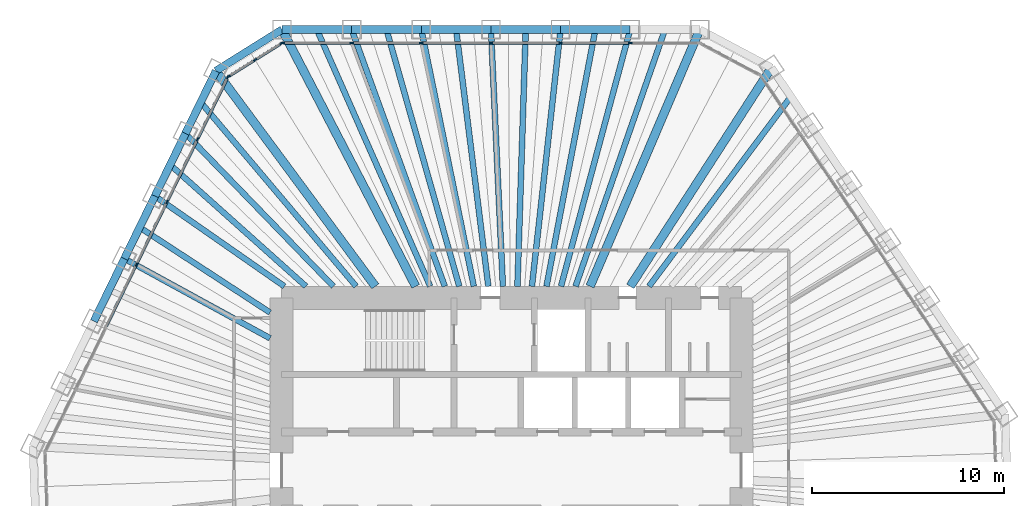
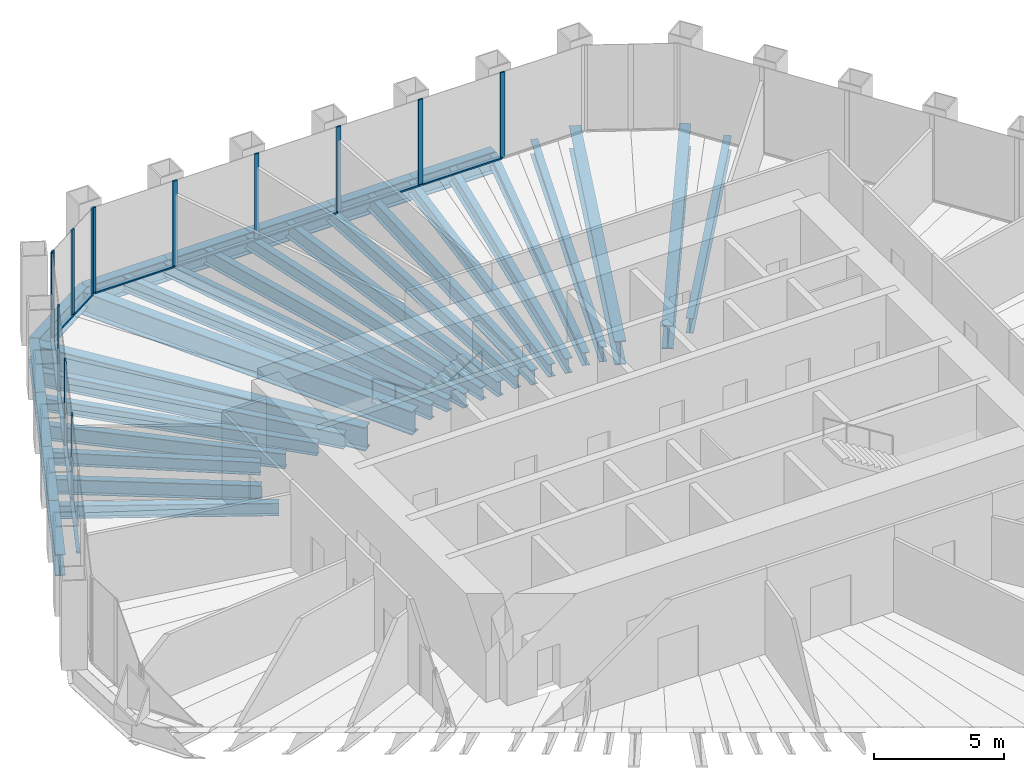
# One storey, part 6 of 14: 32 beams, 24 members, 3 elements without a shape of their own.
"""IFC4 building model written with IfcOpenShell, lengths in metres."""

from ifc_helpers import new_model, si_unit, direction, frame, origin, origin_2d, place, context, subcontext, project, spatial, rectangle, i_section, extrude, material, material_profile, profile_set, type_object, element, aggregate, save


model = new_model("IFC4")

# Units and contexts
model_context = context("Model", 3, precision=1e-05, world=origin(), true_north=direction((0.0, 1.0)))
body_context = subcontext(model_context, "Body", "Model", "MODEL_VIEW")
ifc_project = project(units=[si_unit("LENGTHUNIT", "METRE"), si_unit("AREAUNIT", "SQUARE_METRE"), si_unit("VOLUMEUNIT", "CUBIC_METRE"), si_unit("PLANEANGLEUNIT", "RADIAN"), si_unit("MASSUNIT", "GRAM", prefix="KILO")], contexts=[model_context])

# Site, building, storey
site_placement = place(None, origin())
site = spatial("IfcSite", under=ifc_project, at=site_placement, CompositionType="ELEMENT")
building_placement = place(site_placement, origin())
building = spatial("IfcBuilding", under=site, at=building_placement, Name="Qingtian Harvest Tower", CompositionType="ELEMENT")
storey_placement = place(building_placement, frame((0.0, 0.0, 239.199951171875)))
storey = spatial("IfcBuildingStorey", under=building, at=storey_placement, Name="L52", CompositionType="ELEMENT", Elevation=239.199951171875)

# Beams
ifc_material_1 = material(Name="Steel SM570MC", Category="steel")
ifc_material_profile_1 = material_profile(ifc_material_1, i_section(OverallWidth=0.449951171875, OverallDepth=1.10009765625, WebThickness=0.02197265625, FlangeThickness=0.044921875, at=origin_2d()), Name="H1100x450x22x45")
ifc_profile_set_1 = profile_set([ifc_material_profile_1], Name="Steel SM570MC")
beam_type_1 = type_object("IfcBeamType", Name="Corner floor beam FB8 H1100x450x22x45", PredefinedType="BEAM", material=ifc_profile_set_1)
beam_1_placement = place(storey_placement, frame((-11.971923828125, 23.0, -0.719970703125), z_axis=(0.461712460868, -0.887029651973, 0.0), x_axis=(0.887029651973, 0.461712460868, 0.0)))
element("IfcBeam", 1, at=beam_1_placement, inside=storey, type_object=beam_type_1, Name="Floor beam FB8 N0", PredefinedType="BEAM", context=body_context, shape_type="SweptSolid", body=[
    extrude(i_section(OverallWidth=0.449951171875, OverallDepth=1.10009765625, WebThickness=0.02197265625, FlangeThickness=0.044921875, at=origin_2d()), origin(), (0.0, 0.0, 1.0), 15.1064453125),
])
beam_2_placement = place(storey_placement, frame((9.829345703125, 23.0, -0.719970703125), z_axis=(-0.392976835482, -0.91954837109, 0.0), x_axis=(0.91954837109, -0.392976835482, 0.0)))
element("IfcBeam", 2, at=beam_2_placement, inside=storey, type_object=beam_type_1, Name="Floor beam FB8 N6", PredefinedType="BEAM", context=body_context, shape_type="SweptSolid", body=[
    extrude(i_section(OverallWidth=0.449951171875, OverallDepth=1.10009765625, WebThickness=0.02197265625, FlangeThickness=0.044921875, at=origin_2d()), origin(), (0.0, 0.0, 1.0), 14.572265625),
])
beam_3_placement = place(storey_placement, frame((13.5712890625, 21.01025390625, -0.719970703125), z_axis=(-0.542593072822, -0.839995688873, 0.0), x_axis=(0.839995688873, -0.542593072822, 0.0)))
element("IfcBeam", 3, at=beam_3_placement, inside=storey, type_object=beam_type_1, Name="Floor beam FB8 NE0", PredefinedType="BEAM", context=body_context, shape_type="SweptSolid", body=[
    extrude(i_section(OverallWidth=0.449951171875, OverallDepth=1.10009765625, WebThickness=0.02197265625, FlangeThickness=0.044921875, at=origin_2d()), origin(), (0.0, 0.0, 1.0), 13.58349609375),
])
beam_4_placement = place(storey_placement, frame((-15.424072265625, 20.8427734375, -0.719970703125), z_axis=(0.594854284538, -0.803833552526, 0.0), x_axis=(0.803833552526, 0.594854284538, 0.0)))
element("IfcBeam", 4, at=beam_4_placement, inside=storey, type_object=beam_type_1, Name="Floor beam FB8 NW6", PredefinedType="BEAM", context=body_context, shape_type="SweptSolid", body=[
    extrude(i_section(OverallWidth=0.449951171875, OverallDepth=1.10009765625, WebThickness=0.02197265625, FlangeThickness=0.044921875, at=origin_2d()), origin(), (0.0, 0.0, 1.0), 13.986328125),
])
ifc_material_2 = material(Name="Steel SN490B", Category="steel")
ifc_material_profile_2 = material_profile(ifc_material_2, i_section(OverallWidth=0.300048828125, OverallDepth=0.60009765625, WebThickness=0.011962890625, FlangeThickness=0.02001953125, at=origin_2d()), Name="H600x300x12x20")
ifc_profile_set_2 = profile_set([ifc_material_profile_2], Name="Steel SN490B")
beam_type_2 = type_object("IfcBeamType", Name="Floor beam FB3 H600x300x12x20", PredefinedType="BEAM", material=ifc_profile_set_2)
beam_5_placement = place(storey_placement, frame((-8.33837890625, 23.0, -0.469970703125), z_axis=(0.340826952705, -0.94012604916, 0.0), x_axis=(0.94012604916, 0.340826952705, 0.0)))
element("IfcBeam", 5, at=beam_5_placement, inside=storey, type_object=beam_type_2, Name="Floor beam FB3 N1", PredefinedType="BEAM", context=body_context, shape_type="SweptSolid", body=[
    extrude(i_section(OverallWidth=0.300048828125, OverallDepth=0.60009765625, WebThickness=0.011962890625, FlangeThickness=0.02001953125, at=origin_2d()), origin(), (0.0, 0.0, 1.0), 14.25341796875),
])
beam_6_placement = place(storey_placement, frame((-4.704833984375, 23.0, -0.469970703125), z_axis=(0.200401687601, -0.979713817197, 0.0), x_axis=(0.979713817197, 0.200401687601, 0.0)))
element("IfcBeam", 6, at=beam_6_placement, inside=storey, type_object=beam_type_2, Name="Floor beam FB3 N2", PredefinedType="BEAM", context=body_context, shape_type="SweptSolid", body=[
    extrude(i_section(OverallWidth=0.300048828125, OverallDepth=0.60009765625, WebThickness=0.011962890625, FlangeThickness=0.02001953125, at=origin_2d()), origin(), (0.0, 0.0, 1.0), 13.67724609375),
])
beam_7_placement = place(storey_placement, frame((-1.0712890625, 23.0, -0.469970703125), z_axis=(0.04651883736, -0.998917412888, 0.0), x_axis=(0.998917412888, 0.04651883736, 0.0)))
element("IfcBeam", 7, at=beam_7_placement, inside=storey, type_object=beam_type_2, Name="Floor beam FB3 N3", PredefinedType="BEAM", context=body_context, shape_type="SweptSolid", body=[
    extrude(i_section(OverallWidth=0.300048828125, OverallDepth=0.60009765625, WebThickness=0.011962890625, FlangeThickness=0.02001953125, at=origin_2d()), origin(), (0.0, 0.0, 1.0), 13.414306640625),
])
beam_8_placement = place(storey_placement, frame((2.562255859375, 23.0, -0.469970703125), z_axis=(-0.110727645803, -0.993850787822, 0.0), x_axis=(0.993850787822, -0.110727645803, 0.0)))
element("IfcBeam", 8, at=beam_8_placement, inside=storey, type_object=beam_type_2, Name="Floor beam FB3 N4", PredefinedType="BEAM", context=body_context, shape_type="SweptSolid", body=[
    extrude(i_section(OverallWidth=0.300048828125, OverallDepth=0.60009765625, WebThickness=0.011962890625, FlangeThickness=0.02001953125, at=origin_2d()), origin(), (0.0, 0.0, 1.0), 13.48291015625),
])
beam_9_placement = place(storey_placement, frame((6.19580078125, 23.0, -0.469970703125), z_axis=(-0.260121100906, -0.965576000563, 0.0), x_axis=(0.965576000563, -0.260121100906, 0.0)))
element("IfcBeam", 9, at=beam_9_placement, inside=storey, type_object=beam_type_2, Name="Floor beam FB3 N5", PredefinedType="BEAM", context=body_context, shape_type="SweptSolid", body=[
    extrude(i_section(OverallWidth=0.300048828125, OverallDepth=0.60009765625, WebThickness=0.011962890625, FlangeThickness=0.02001953125, at=origin_2d()), origin(), (0.0, 0.0, 1.0), 13.877685546875),
])
beam_10_placement = place(storey_placement, frame((-20.20263671875, 11.04541015625, -0.469970703125), z_axis=(0.87742673539, -0.479710666988, 0.0), x_axis=(0.479710666988, 0.87742673539, 0.0)))
element("IfcBeam", 10, at=beam_10_placement, inside=storey, type_object=beam_type_2, Name="Floor beam FB3 NW3", PredefinedType="BEAM", context=body_context, shape_type="SweptSolid", body=[
    extrude(i_section(OverallWidth=0.300048828125, OverallDepth=0.60009765625, WebThickness=0.011962890625, FlangeThickness=0.02001953125, at=origin_2d()), origin(), (0.0, 0.0, 1.0), 8.66455078125),
])
beam_11_placement = place(storey_placement, frame((-18.60986328125, 14.311279296875, -0.469970703125), z_axis=(0.820407854234, -0.571778762032, 0.0), x_axis=(0.571778762032, 0.820407854234, 0.0)))
element("IfcBeam", 11, at=beam_11_placement, inside=storey, type_object=beam_type_2, Name="Floor beam FB3 NW4", PredefinedType="BEAM", context=body_context, shape_type="SweptSolid", body=[
    extrude(i_section(OverallWidth=0.300048828125, OverallDepth=0.60009765625, WebThickness=0.011962890625, FlangeThickness=0.02001953125, at=origin_2d()), origin(), (0.0, 0.0, 1.0), 8.239501953125),
])
beam_12_placement = place(storey_placement, frame((-17.016845703125, 17.5771484375, -0.469970703125), z_axis=(0.695569024353, -0.718459276759, 0.0), x_axis=(0.718459276759, 0.695569024353, 0.0)))
element("IfcBeam", 12, at=beam_12_placement, inside=storey, type_object=beam_type_2, Name="Floor beam FB3 NW5", PredefinedType="BEAM", context=body_context, shape_type="SweptSolid", body=[
    extrude(i_section(OverallWidth=0.300048828125, OverallDepth=0.60009765625, WebThickness=0.011962890625, FlangeThickness=0.02001953125, at=origin_2d()), origin(), (0.0, 0.0, 1.0), 11.10302734375),
])
ifc_material_3 = material(Name="Steel SN490B", Category="steel")
ifc_material_profile_3 = material_profile(ifc_material_3, i_section(OverallWidth=0.300048828125, OverallDepth=0.699951171875, WebThickness=0.012939453125, FlangeThickness=0.02392578125, at=origin_2d()), Name="H700x300x13x24")
ifc_profile_set_3 = profile_set([ifc_material_profile_3], Name="Steel SN490B")
beam_type_3 = type_object("IfcBeamType", Name="Floor joist J2 H700x300x13x24", PredefinedType="JOIST", material=ifc_profile_set_3)
beam_13_placement = place(storey_placement, frame((-10.1552734375, 23.0, -0.52001953125), z_axis=(0.40391347792, -0.914797191925, 0.0), x_axis=(0.914797191925, 0.40391347792, 0.0)))
element("IfcBeam", 13, at=beam_13_placement, inside=storey, type_object=beam_type_3, Name="Floor joist J2 N0", PredefinedType="JOIST", context=body_context, shape_type="SweptSolid", body=[
    extrude(i_section(OverallWidth=0.300048828125, OverallDepth=0.699951171875, WebThickness=0.012939453125, FlangeThickness=0.02392578125, at=origin_2d()), origin(), (0.0, 0.0, 1.0), 14.64794921875),
])
beam_14_placement = place(storey_placement, frame((-6.521728515625, 23.0, -0.52001953125), z_axis=(0.272796737564, -0.962071691702, 0.0), x_axis=(0.962071691702, 0.272796737564, 0.0)))
element("IfcBeam", 14, at=beam_14_placement, inside=storey, type_object=beam_type_3, Name="Floor joist J2 N1", PredefinedType="JOIST", context=body_context, shape_type="SweptSolid", body=[
    extrude(i_section(OverallWidth=0.300048828125, OverallDepth=0.699951171875, WebThickness=0.012939453125, FlangeThickness=0.02392578125, at=origin_2d()), origin(), (0.0, 0.0, 1.0), 13.92822265625),
])
beam_15_placement = place(storey_placement, frame((-2.88818359375, 23.0, -0.52001953125), z_axis=(0.124590949529, -0.992208191508, 0.0), x_axis=(0.992208191508, 0.124590949529, 0.0)))
element("IfcBeam", 15, at=beam_15_placement, inside=storey, type_object=beam_type_3, Name="Floor joist J2 N2", PredefinedType="JOIST", context=body_context, shape_type="SweptSolid", body=[
    extrude(i_section(OverallWidth=0.300048828125, OverallDepth=0.699951171875, WebThickness=0.012939453125, FlangeThickness=0.02392578125, at=origin_2d()), origin(), (0.0, 0.0, 1.0), 13.505126953125),
])
beam_16_placement = place(storey_placement, frame((0.745361328125, 23.0, -0.52001953125), z_axis=(-0.032395624487, -0.99947512401, 0.0), x_axis=(0.99947512401, -0.032395624487, 0.0)))
element("IfcBeam", 16, at=beam_16_placement, inside=storey, type_object=beam_type_3, Name="Floor joist J2 N3", PredefinedType="JOIST", context=body_context, shape_type="SweptSolid", body=[
    extrude(i_section(OverallWidth=0.300048828125, OverallDepth=0.699951171875, WebThickness=0.012939453125, FlangeThickness=0.02392578125, at=origin_2d()), origin(), (0.0, 0.0, 1.0), 13.406982421875),
])
beam_17_placement = place(storey_placement, frame((4.37890625, 23.0, -0.52001953125), z_axis=(-0.187034797062, -0.982353289142, 0.0), x_axis=(0.982353289142, -0.187034797062, 0.0)))
element("IfcBeam", 17, at=beam_17_placement, inside=storey, type_object=beam_type_3, Name="Floor joist J2 N4", PredefinedType="JOIST", context=body_context, shape_type="SweptSolid", body=[
    extrude(i_section(OverallWidth=0.300048828125, OverallDepth=0.699951171875, WebThickness=0.012939453125, FlangeThickness=0.02392578125, at=origin_2d()), origin(), (0.0, 0.0, 1.0), 13.640625),
])
beam_18_placement = place(storey_placement, frame((8.012451171875, 23.0, -0.52001953125), z_axis=(-0.328969033283, -0.944340709247, 0.0), x_axis=(0.944340709247, -0.328969033283, 0.0)))
element("IfcBeam", 18, at=beam_18_placement, inside=storey, type_object=beam_type_3, Name="Floor joist J2 N5", PredefinedType="JOIST", context=body_context, shape_type="SweptSolid", body=[
    extrude(i_section(OverallWidth=0.300048828125, OverallDepth=0.699951171875, WebThickness=0.012939453125, FlangeThickness=0.02392578125, at=origin_2d()), origin(), (0.0, 0.0, 1.0), 14.189697265625),
])
beam_19_placement = place(storey_placement, frame((14.58740234375, 19.504150390625, -0.52001953125), z_axis=(-0.598935081494, -0.800797582511, 0.0), x_axis=(0.800797582511, -0.598935081494, 0.0)))
element("IfcBeam", 19, at=beam_19_placement, inside=storey, type_object=beam_type_3, Name="Floor joist J2 NE0", PredefinedType="JOIST", context=body_context, shape_type="SweptSolid", body=[
    extrude(i_section(OverallWidth=0.300048828125, OverallDepth=0.699951171875, WebThickness=0.012939453125, FlangeThickness=0.02392578125, at=origin_2d()), origin(), (0.0, 0.0, 1.0), 12.36767578125),
])
beam_20_placement = place(storey_placement, frame((-19.40625, 12.678466796875, -0.52001953125), z_axis=(0.837161066611, -0.546956441182, 0.0), x_axis=(0.546956441182, 0.837161066611, 0.0)))
element("IfcBeam", 20, at=beam_20_placement, inside=storey, type_object=beam_type_3, Name="Floor joist J2 NW3", PredefinedType="JOIST", context=body_context, shape_type="SweptSolid", body=[
    extrude(i_section(OverallWidth=0.300048828125, OverallDepth=0.699951171875, WebThickness=0.012939453125, FlangeThickness=0.02392578125, at=origin_2d()), origin(), (0.0, 0.0, 1.0), 8.130126953125),
])
beam_21_placement = place(storey_placement, frame((-17.813232421875, 15.944091796875, -0.52001953125), z_axis=(0.745126517589, -0.66692313859, 0.0), x_axis=(0.66692313859, 0.745126517589, 0.0)))
element("IfcBeam", 21, at=beam_21_placement, inside=storey, type_object=beam_type_3, Name="Floor joist J2 NW4", PredefinedType="JOIST", context=body_context, shape_type="SweptSolid", body=[
    extrude(i_section(OverallWidth=0.300048828125, OverallDepth=0.699951171875, WebThickness=0.012939453125, FlangeThickness=0.02392578125, at=origin_2d()), origin(), (0.0, 0.0, 1.0), 9.512451171875),
])
beam_22_placement = place(storey_placement, frame((-16.220458984375, 19.2099609375, -0.52001953125), z_axis=(0.645157903911, -0.764049264787, 0.0), x_axis=(0.764049264787, 0.645157903911, 0.0)))
element("IfcBeam", 22, at=beam_22_placement, inside=storey, type_object=beam_type_3, Name="Floor joist J2 NW5", PredefinedType="JOIST", context=body_context, shape_type="SweptSolid", body=[
    extrude(i_section(OverallWidth=0.300048828125, OverallDepth=0.699951171875, WebThickness=0.012939453125, FlangeThickness=0.02392578125, at=origin_2d()), origin(), (0.0, 0.0, 1.0), 12.57763671875),
])

# Curtain wall, members
ifc_material_4 = material(Name="Bronze-anodised aluminium curtain wall", Category="aluminium")
curtain_wall_type = type_object("IfcCurtainWallType", Name="Curtain wall CW4 office", PredefinedType="USERDEFINED", material=ifc_material_4)
curtain_wall_1_placement = place(storey_placement, origin())
curtain_wall_1 = element("IfcCurtainWall", 23, at=curtain_wall_1_placement, inside=storey, type_object=curtain_wall_type, Name="Curtain wall CW4 L52 N0-5", ObjectType="RECESSED CURTAIN WALL", PredefinedType="USERDEFINED")
ifc_material_5 = material(Name="Bronze-anodised aluminium mullion", Category="aluminium")
ifc_material_profile_4 = material_profile(ifc_material_5, rectangle(XDim=0.06494140625, YDim=0.199951171875, at=origin_2d()), Name="AL 65x200")
ifc_profile_set_4 = profile_set([ifc_material_profile_4], Name="Bronze-anodised aluminium mullion")
member_type_1 = type_object("IfcMemberType", Name="Mullion CWM 65x200", PredefinedType="MULLION", material=ifc_profile_set_4)
member_1_placement = place(storey_placement, frame((-11.939453125, 22.300048828125, 0.0), z_axis=(0.0, 0.0, 1.0), x_axis=(0.0, 1.0, 0.0)))
member_1 = element("IfcMember", 24, at=member_1_placement, type_object=member_type_1, Name="CW4 mullion 1", PredefinedType="MULLION", context=body_context, shape_type="SweptSolid", body=[
    extrude(rectangle(XDim=0.06494140625, YDim=0.199951171875, at=origin_2d()), origin(), (0.0, 0.0, 1.0), 4.030029296875),
])
member_2_placement = place(storey_placement, frame((-8.33837890625, 22.300048828125, 0.0), z_axis=(0.0, 0.0, 1.0), x_axis=(0.0, 1.0, 0.0)))
member_2 = element("IfcMember", 25, at=member_2_placement, type_object=member_type_1, Name="CW4 mullion 2", PredefinedType="MULLION", context=body_context, shape_type="SweptSolid", body=[
    extrude(rectangle(XDim=0.06494140625, YDim=0.199951171875, at=origin_2d()), origin(), (0.0, 0.0, 1.0), 4.030029296875),
])
member_3_placement = place(storey_placement, frame((-4.704833984375, 22.300048828125, 0.0), z_axis=(0.0, 0.0, 1.0), x_axis=(0.0, 1.0, 0.0)))
member_3 = element("IfcMember", 26, at=member_3_placement, type_object=member_type_1, Name="CW4 mullion 3", PredefinedType="MULLION", context=body_context, shape_type="SweptSolid", body=[
    extrude(rectangle(XDim=0.06494140625, YDim=0.199951171875, at=origin_2d()), origin(), (0.0, 0.0, 1.0), 4.030029296875),
])
member_4_placement = place(storey_placement, frame((-1.0712890625, 22.300048828125, 0.0), z_axis=(0.0, 0.0, 1.0), x_axis=(0.0, 1.0, 0.0)))
member_4 = element("IfcMember", 27, at=member_4_placement, type_object=member_type_1, Name="CW4 mullion 4", PredefinedType="MULLION", context=body_context, shape_type="SweptSolid", body=[
    extrude(rectangle(XDim=0.06494140625, YDim=0.199951171875, at=origin_2d()), origin(), (0.0, 0.0, 1.0), 4.030029296875),
])
member_5_placement = place(storey_placement, frame((2.562255859375, 22.300048828125, 0.0), z_axis=(0.0, 0.0, 1.0), x_axis=(0.0, 1.0, 0.0)))
member_5 = element("IfcMember", 28, at=member_5_placement, type_object=member_type_1, Name="CW4 mullion 5", PredefinedType="MULLION", context=body_context, shape_type="SweptSolid", body=[
    extrude(rectangle(XDim=0.06494140625, YDim=0.199951171875, at=origin_2d()), origin(), (0.0, 0.0, 1.0), 4.030029296875),
])
member_6_placement = place(storey_placement, frame((6.19580078125, 22.300048828125, 0.0), z_axis=(0.0, 0.0, 1.0), x_axis=(0.0, 1.0, 0.0)))
member_6 = element("IfcMember", 29, at=member_6_placement, type_object=member_type_1, Name="CW4 mullion 6", PredefinedType="MULLION", context=body_context, shape_type="SweptSolid", body=[
    extrude(rectangle(XDim=0.06494140625, YDim=0.199951171875, at=origin_2d()), origin(), (0.0, 0.0, 1.0), 4.030029296875),
])

curtain_wall_2_placement = place(storey_placement, origin())
curtain_wall_2 = element("IfcCurtainWall", 30, at=curtain_wall_2_placement, inside=storey, type_object=curtain_wall_type, Name="Curtain wall CW4 L52 NW0-5", ObjectType="RECESSED CURTAIN WALL", PredefinedType="USERDEFINED")
member_7_placement = place(storey_placement, frame((-19.573486328125, 10.738525390625, 0.0), z_axis=(0.0, 0.0, 1.0), x_axis=(-0.898794046299, 0.438371146789, 0.0)))
member_7 = element("IfcMember", 31, at=member_7_placement, type_object=member_type_1, Name="CW4 mullion 4", PredefinedType="MULLION", context=body_context, shape_type="SweptSolid", body=[
    extrude(rectangle(XDim=0.06494140625, YDim=0.199951171875, at=origin_2d()), origin(), (0.0, 0.0, 1.0), 4.030029296875),
])
member_8_placement = place(storey_placement, frame((-17.980712890625, 14.00439453125, 0.0), z_axis=(0.0, 0.0, 1.0), x_axis=(-0.898794046299, 0.438371146789, 0.0)))
member_8 = element("IfcMember", 32, at=member_8_placement, type_object=member_type_1, Name="CW4 mullion 5", PredefinedType="MULLION", context=body_context, shape_type="SweptSolid", body=[
    extrude(rectangle(XDim=0.06494140625, YDim=0.199951171875, at=origin_2d()), origin(), (0.0, 0.0, 1.0), 4.030029296875),
])
member_9_placement = place(storey_placement, frame((-16.3876953125, 17.270263671875, 0.0), z_axis=(0.0, 0.0, 1.0), x_axis=(-0.898794046299, 0.438371146789, 0.0)))
member_9 = element("IfcMember", 33, at=member_9_placement, type_object=member_type_1, Name="CW4 mullion 6", PredefinedType="MULLION", context=body_context, shape_type="SweptSolid", body=[
    extrude(rectangle(XDim=0.06494140625, YDim=0.199951171875, at=origin_2d()), origin(), (0.0, 0.0, 1.0), 4.030029296875),
])
member_10_placement = place(storey_placement, frame((-14.80908203125, 20.5068359375, 0.0), z_axis=(0.0, 0.0, 1.0), x_axis=(-0.898794046299, 0.438371146789, 0.0)))
member_10 = element("IfcMember", 34, at=member_10_placement, type_object=member_type_1, Name="CW4 mullion 7", PredefinedType="MULLION", context=body_context, shape_type="SweptSolid", body=[
    extrude(rectangle(XDim=0.06494140625, YDim=0.199951171875, at=origin_2d()), origin(), (0.0, 0.0, 1.0), 4.030029296875),
])

curtain_wall_3_placement = place(storey_placement, origin())
curtain_wall_3 = element("IfcCurtainWall", 35, at=curtain_wall_3_placement, inside=storey, type_object=curtain_wall_type, Name="Curtain wall CW4 L52 NWC", ObjectType="RECESSED CURTAIN WALL", PredefinedType="USERDEFINED")
member_11_placement = place(storey_placement, frame((-14.767333984375, 20.55322265625, 0.0), z_axis=(0.0, 0.0, 1.0), x_axis=(-0.529919264233, 0.848048096156, 0.0)))
member_11 = element("IfcMember", 36, at=member_11_placement, type_object=member_type_1, Name="CW4 mullion 1", PredefinedType="MULLION", context=body_context, shape_type="SweptSolid", body=[
    extrude(rectangle(XDim=0.06494140625, YDim=0.199951171875, at=origin_2d()), origin(), (0.0, 0.0, 1.0), 4.030029296875),
])
member_12_placement = place(storey_placement, frame((-13.383544921875, 21.41796875, 0.0), z_axis=(0.0, 0.0, 1.0), x_axis=(-0.529919264233, 0.848048096156, 0.0)))
member_12 = element("IfcMember", 37, at=member_12_placement, type_object=member_type_1, Name="CW4 mullion 2", PredefinedType="MULLION", context=body_context, shape_type="SweptSolid", body=[
    extrude(rectangle(XDim=0.06494140625, YDim=0.199951171875, at=origin_2d()), origin(), (0.0, 0.0, 1.0), 4.030029296875),
])
member_13_placement = place(storey_placement, frame((-11.99951171875, 22.28271484375, 0.0), z_axis=(0.0, 0.0, 1.0), x_axis=(-0.529919264233, 0.848048096156, 0.0)))
member_13 = element("IfcMember", 38, at=member_13_placement, type_object=member_type_1, Name="CW4 mullion 3", PredefinedType="MULLION", context=body_context, shape_type="SweptSolid", body=[
    extrude(rectangle(XDim=0.06494140625, YDim=0.199951171875, at=origin_2d()), origin(), (0.0, 0.0, 1.0), 4.030029296875),
])

# Beams
ifc_material_6 = material(Name="Steel SN490B", Category="steel")
ifc_material_profile_5 = material_profile(ifc_material_6, i_section(OverallWidth=0.39990234375, OverallDepth=1.0, WebThickness=0.01904296875, FlangeThickness=0.035888671875, at=origin_2d()), Name="H1000x400x19x36")
ifc_profile_set_5 = profile_set([ifc_material_profile_5], Name="Steel SN490B")
beam_type_4 = type_object("IfcBeamType", Name="Spandrel beam SB3 H1000x400x19x36", PredefinedType="SPANDREL", material=ifc_profile_set_5)
for number, where, z_axis, x_axis, name in (
    (39, (-11.971923828125, 23.0, -0.5), (1.0, 0.0, 0.0), (0.0, 1.0, 0.0), "Spandrel SB3 N0"),
    (40, (-8.33837890625, 23.0, -0.5), (1.0, 0.0, 0.0), (0.0, 1.0, 0.0), "Spandrel SB3 N1"),
    (41, (-4.704833984375, 23.0, -0.5), (1.0, 0.0, 0.0), (0.0, 1.0, 0.0), "Spandrel SB3 N2"),
    (42, (-1.0712890625, 23.0, -0.5), (1.0, 0.0, 0.0), (0.0, 1.0, 0.0), "Spandrel SB3 N3"),
    (43, (2.562255859375, 23.0, -0.5), (1.0, 0.0, 0.0), (0.0, 1.0, 0.0), "Spandrel SB3 N4"),
    (44, (-21.79541015625, 7.779541015625, -0.5), (0.438349498419, 0.898804604592, 0.0), (-0.898804604592, 0.438349498419, 0.0), "Spandrel SB3 NW2"),
    (45, (-20.20263671875, 11.04541015625, -0.5), (0.438349498419, 0.898804604592, 0.0), (-0.898804604592, 0.438349498419, 0.0), "Spandrel SB3 NW3"),
):
    element("IfcBeam", number, at=place(storey_placement, frame(where, z_axis=z_axis, x_axis=x_axis)), inside=storey, type_object=beam_type_4, Name=name, PredefinedType="SPANDREL", context=body_context, shape_type="SweptSolid", body=[
        extrude(i_section(OverallWidth=0.39990234375, OverallDepth=1.0, WebThickness=0.01904296875, FlangeThickness=0.035888671875, at=origin_2d()), origin(), (0.0, 0.0, 1.0), 3.633544921875),
    ])
beam_23_placement = place(storey_placement, frame((-18.60986328125, 14.311279296875, -0.5), z_axis=(0.438403775684, 0.898778131391, 0.0), x_axis=(-0.898778131391, 0.438403775684, 0.0)))
element("IfcBeam", 46, at=beam_23_placement, inside=storey, type_object=beam_type_4, Name="Spandrel SB3 NW4", PredefinedType="SPANDREL", context=body_context, shape_type="SweptSolid", body=[
    extrude(i_section(OverallWidth=0.39990234375, OverallDepth=1.0, WebThickness=0.01904296875, FlangeThickness=0.035888671875, at=origin_2d()), origin(), (0.0, 0.0, 1.0), 3.6337890625),
])
beam_24_placement = place(storey_placement, frame((-17.016845703125, 17.5771484375, -0.5), z_axis=(0.43837597217, 0.898791692788, 0.0), x_axis=(-0.898791692788, 0.43837597217, 0.0)))
element("IfcBeam", 47, at=beam_24_placement, inside=storey, type_object=beam_type_4, Name="Spandrel SB3 NW5", PredefinedType="SPANDREL", context=body_context, shape_type="SweptSolid", body=[
    extrude(i_section(OverallWidth=0.39990234375, OverallDepth=1.0, WebThickness=0.01904296875, FlangeThickness=0.035888671875, at=origin_2d()), origin(), (0.0, 0.0, 1.0), 3.63330078125),
])
beam_25_placement = place(storey_placement, frame((-15.424072265625, 20.8427734375, -0.5), z_axis=(0.848038733752, 0.529934246919, 0.0), x_axis=(-0.529934246919, 0.848038733752, 0.0)))
element("IfcBeam", 48, at=beam_25_placement, inside=storey, type_object=beam_type_4, Name="Spandrel SB3 NWC", PredefinedType="SPANDREL", context=body_context, shape_type="SweptSolid", body=[
    extrude(i_section(OverallWidth=0.39990234375, OverallDepth=1.0, WebThickness=0.01904296875, FlangeThickness=0.035888671875, at=origin_2d()), origin(), (0.0, 0.0, 1.0), 4.07080078125),
])

# Member
ifc_material_7 = material(Name="Bronze-anodised aluminium transom", Category="aluminium")
ifc_material_profile_6 = material_profile(ifc_material_7, rectangle(XDim=0.14990234375, YDim=0.06494140625, at=origin_2d()), Name="AL 65x150")
ifc_profile_set_6 = profile_set([ifc_material_profile_6], Name="Bronze-anodised aluminium transom")
member_type_2 = type_object("IfcMemberType", Name="Transom CWT 65x150", PredefinedType="USERDEFINED", material=ifc_profile_set_6)
member_14_placement = place(storey_placement, frame((-11.906982421875, 22.300048828125, 0.032470703125), z_axis=(1.0, 0.0, 0.0), x_axis=(0.0, 1.0, 0.0)))
member_14 = element("IfcMember", 49, at=member_14_placement, type_object=member_type_2, Name="CW4 transom 1.1", ObjectType="TRANSOM", PredefinedType="USERDEFINED", context=body_context, shape_type="SweptSolid", body=[
    extrude(rectangle(XDim=0.14990234375, YDim=0.06494140625, at=origin_2d()), origin(), (0.0, 0.0, 1.0), 3.5361328125),
])

member_15_placement = place(storey_placement, frame((-8.305908203125, 22.300048828125, 0.032470703125), z_axis=(1.0, 0.0, 0.0), x_axis=(0.0, 1.0, 0.0)))
member_15 = element("IfcMember", 50, at=member_15_placement, type_object=member_type_2, Name="CW4 transom 2.1", ObjectType="TRANSOM", PredefinedType="USERDEFINED", context=body_context, shape_type="SweptSolid", body=[
    extrude(rectangle(XDim=0.14990234375, YDim=0.06494140625, at=origin_2d()), origin(), (0.0, 0.0, 1.0), 3.568603515625),
])

member_16_placement = place(storey_placement, frame((-4.67236328125, 22.300048828125, 0.032470703125), z_axis=(1.0, 0.0, 0.0), x_axis=(0.0, 1.0, 0.0)))
member_16 = element("IfcMember", 51, at=member_16_placement, type_object=member_type_2, Name="CW4 transom 3.1", ObjectType="TRANSOM", PredefinedType="USERDEFINED", context=body_context, shape_type="SweptSolid", body=[
    extrude(rectangle(XDim=0.14990234375, YDim=0.06494140625, at=origin_2d()), origin(), (0.0, 0.0, 1.0), 3.568603515625),
])

member_17_placement = place(storey_placement, frame((-1.038818359375, 22.300048828125, 0.032470703125), z_axis=(1.0, 0.0, 0.0), x_axis=(0.0, 1.0, 0.0)))
member_17 = element("IfcMember", 52, at=member_17_placement, type_object=member_type_2, Name="CW4 transom 4.1", ObjectType="TRANSOM", PredefinedType="USERDEFINED", context=body_context, shape_type="SweptSolid", body=[
    extrude(rectangle(XDim=0.14990234375, YDim=0.06494140625, at=origin_2d()), origin(), (0.0, 0.0, 1.0), 3.568603515625),
])

member_18_placement = place(storey_placement, frame((2.5947265625, 22.300048828125, 0.032470703125), z_axis=(1.0, 0.0, 0.0), x_axis=(0.0, 1.0, 0.0)))
member_18 = element("IfcMember", 53, at=member_18_placement, type_object=member_type_2, Name="CW4 transom 5.1", ObjectType="TRANSOM", PredefinedType="USERDEFINED", context=body_context, shape_type="SweptSolid", body=[
    extrude(rectangle(XDim=0.14990234375, YDim=0.06494140625, at=origin_2d()), origin(), (0.0, 0.0, 1.0), 3.568603515625),
])

aggregate(curtain_wall_1, [member_1, member_2, member_3, member_4, member_5, member_6, member_14, member_15, member_16, member_17, member_18])

member_19_placement = place(storey_placement, frame((-21.152099609375, 7.501953125, 0.032470703125), z_axis=(0.438380500422, 0.898789484167, 0.0), x_axis=(-0.898789484167, 0.438380500422, 0.0)))
member_19 = element("IfcMember", 54, at=member_19_placement, type_object=member_type_2, Name="CW4 transom 3.1", ObjectType="TRANSOM", PredefinedType="USERDEFINED", context=body_context, shape_type="SweptSolid", body=[
    extrude(rectangle(XDim=0.14990234375, YDim=0.06494140625, at=origin_2d()), origin(), (0.0, 0.0, 1.0), 3.568603515625),
])

member_20_placement = place(storey_placement, frame((-19.559326171875, 10.767822265625, 0.032470703125), z_axis=(0.438407456795, 0.898776335818, 0.0), x_axis=(-0.898776335818, 0.438407456795, 0.0)))
member_20 = element("IfcMember", 55, at=member_20_placement, type_object=member_type_2, Name="CW4 transom 4.1", ObjectType="TRANSOM", PredefinedType="USERDEFINED", context=body_context, shape_type="SweptSolid", body=[
    extrude(rectangle(XDim=0.14990234375, YDim=0.06494140625, at=origin_2d()), origin(), (0.0, 0.0, 1.0), 3.568603515625),
])

member_21_placement = place(storey_placement, frame((-17.96630859375, 14.03369140625, 0.032470703125), z_axis=(0.438352188226, 0.898803292761, 0.0), x_axis=(-0.898803292761, 0.438352188226, 0.0)))
member_21 = element("IfcMember", 56, at=member_21_placement, type_object=member_type_2, Name="CW4 transom 5.1", ObjectType="TRANSOM", PredefinedType="USERDEFINED", context=body_context, shape_type="SweptSolid", body=[
    extrude(rectangle(XDim=0.14990234375, YDim=0.06494140625, at=origin_2d()), origin(), (0.0, 0.0, 1.0), 3.568359375),
])

member_22_placement = place(storey_placement, frame((-16.37353515625, 17.29931640625, 0.032470703125), z_axis=(0.438354255898, 0.898802284341, 0.0), x_axis=(-0.898802284341, 0.438354255898, 0.0)))
member_22 = element("IfcMember", 57, at=member_22_placement, type_object=member_type_2, Name="CW4 transom 6.1", ObjectType="TRANSOM", PredefinedType="USERDEFINED", context=body_context, shape_type="SweptSolid", body=[
    extrude(rectangle(XDim=0.14990234375, YDim=0.06494140625, at=origin_2d()), origin(), (0.0, 0.0, 1.0), 3.5361328125),
])

aggregate(curtain_wall_2, [member_7, member_8, member_9, member_10, member_19, member_20, member_21, member_22])

member_23_placement = place(storey_placement, frame((-14.73974609375, 20.570556640625, 0.032470703125), z_axis=(0.848015812303, 0.529970925697, 0.0), x_axis=(-0.529970925697, 0.848015812303, 0.0)))
member_23 = element("IfcMember", 58, at=member_23_placement, type_object=member_type_2, Name="CW4 transom 1.1", ObjectType="TRANSOM", PredefinedType="USERDEFINED", context=body_context, shape_type="SweptSolid", body=[
    extrude(rectangle(XDim=0.14990234375, YDim=0.06494140625, at=origin_2d()), origin(), (0.0, 0.0, 1.0), 1.566650390625),
])

member_24_placement = place(storey_placement, frame((-13.35595703125, 21.435302734375, 0.032470703125), z_axis=(0.848059570903, 0.529900900357, 0.0), x_axis=(-0.529900900357, 0.848059570903, 0.0)))
member_24 = element("IfcMember", 59, at=member_24_placement, type_object=member_type_2, Name="CW4 transom 2.1", ObjectType="TRANSOM", PredefinedType="USERDEFINED", context=body_context, shape_type="SweptSolid", body=[
    extrude(rectangle(XDim=0.14990234375, YDim=0.06494140625, at=origin_2d()), origin(), (0.0, 0.0, 1.0), 1.56689453125),
])

aggregate(curtain_wall_3, [member_11, member_12, member_13, member_23, member_24])

save(model, "model.ifc")
